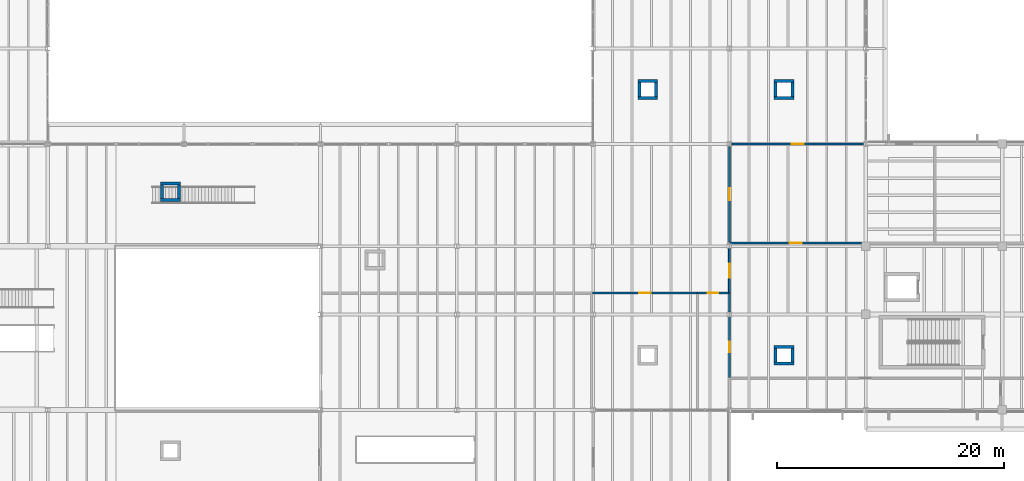
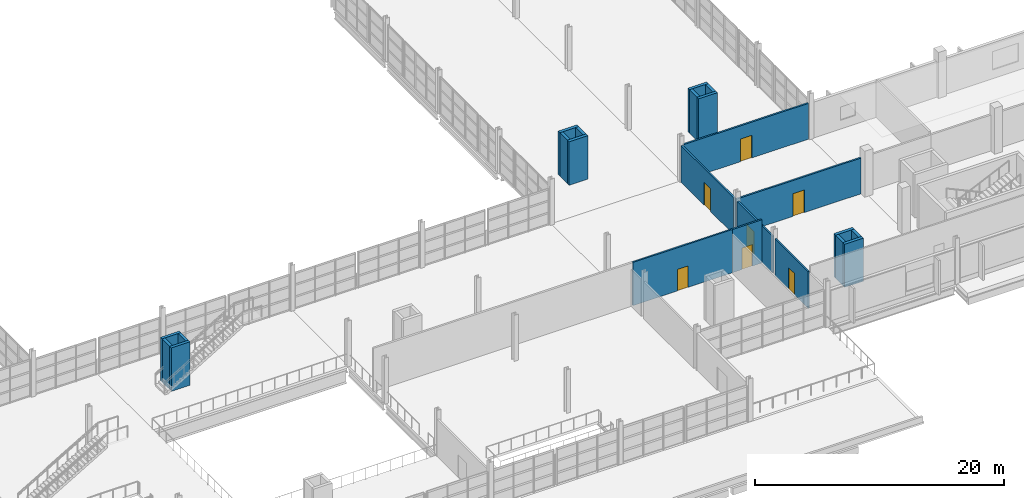
# One storey, part 91 of 114: 24 walls, 7 doors, 7 openings.
"""IFC4 building model written with IfcOpenShell, lengths in metres."""

from ifc_helpers import new_model, si_unit, direction, frame, frame_2d, origin, place, context, subcontext, project, spatial, rectangle, extrude, material, layer, layer_set, type_object, element, fill, save


model = new_model("IFC4")

# Units and contexts
model_context = context("Model", 3, precision=1e-05, world=origin(), true_north=direction((0.0, 1.0)))
body_context = subcontext(model_context, "Body", "Model", "MODEL_VIEW")
ifc_project = project(units=[si_unit("LENGTHUNIT", "METRE"), si_unit("AREAUNIT", "SQUARE_METRE"), si_unit("VOLUMEUNIT", "CUBIC_METRE"), si_unit("PLANEANGLEUNIT", "RADIAN"), si_unit("MASSUNIT", "GRAM", prefix="KILO")], contexts=[model_context])

# Site, building, storey
site_placement = place(None, origin())
site = spatial("IfcSite", under=ifc_project, at=site_placement, CompositionType="ELEMENT")
building_placement = place(site_placement, origin())
building = spatial("IfcBuilding", under=site, at=building_placement, Name="Kelmvaro Bay Concert Hall", CompositionType="ELEMENT")
storey_placement = place(building_placement, frame((0.0, 0.0, 4.800048828125)))
storey = spatial("IfcBuildingStorey", under=building, at=storey_placement, Name="L01", CompositionType="ELEMENT", Elevation=4.800048828125)

# Wall, opening, door
ifc_material_1 = material(Name="Acoustic Gypsum Board on Galvanised Steel Studs", Category="steel")
ifc_layer_1 = layer(ifc_material_1, 0.169921875)
ifc_layer_set_1 = layer_set([ifc_layer_1], Name="Acoustic Gypsum Board on Galvanised Steel Studs")
wall_type_1 = type_object("IfcWallType", Name="Corridor Fire Compartment Partition 170", PredefinedType="PARTITIONING", material=ifc_layer_set_1)
wall_1_placement = place(storey_placement, frame((120.0, 25.875, 0.0), z_axis=(0.0, 0.0, 1.0), x_axis=(0.0, 1.0, 0.0)))
wall_1 = element("IfcWall", 1, at=wall_1_placement, inside=storey, type_object=wall_type_1, Name="L01 Interior Partition PT-L01-0186", PredefinedType="PARTITIONING", context=body_context, shape_type="SweptSolid", body=[
    extrude(rectangle(XDim=3.919921875, YDim=0.169921875, at=frame_2d((1.9599609375, 0.0))), origin(), (0.0, 0.0, 1.0), 3.587890625),
])
opening_1_placement = place(wall_1_placement, frame((1.35009765625, 0.0, 0.0)))
opening_1 = element("IfcOpeningElement", 2, at=opening_1_placement, cuts=wall_1, Name="Opening ID-ST2", PredefinedType="OPENING", context=body_context, shape_type="SweptSolid", body=[
    extrude(rectangle(XDim=1.219970703125, YDim=2.179931640625, at=frame_2d((0.60986328125, 1.08984375))), frame((0.0, 0.094970703125, 0.0), z_axis=(0.0, -1.0, 0.0), x_axis=(1.0, 0.0, 0.0)), (0.0, 0.0, 1.0), 0.18994140625),
])
ifc_material_2 = material(Name="Acoustic Oak and Fire Glass", Category="glass")
door_type_1 = type_object("IfcDoorType", Name="Core Lobby Smoke Control Door 1220x2180", OperationType="NOTDEFINED", PredefinedType="DOOR", material=ifc_material_2)
door_1_placement = place(opening_1_placement, origin())
door_1 = element("IfcDoor", 3, at=door_1_placement, inside=storey, type_object=door_type_1, Name="L01 Interior Door DR-INT-L01-0114", OperationType="SINGLE_SWING_RIGHT", OverallHeight=2.179931640625, OverallWidth=1.219970703125, PredefinedType="DOOR", context=body_context, shape_type="SweptSolid", body=[
    extrude(rectangle(XDim=1.219970703125, YDim=2.179931640625, at=frame_2d((0.60986328125, 1.08984375))), frame((0.0, 0.02490234375, 0.0), z_axis=(0.0, -1.0, 0.0), x_axis=(1.0, 0.0, 0.0)), (0.0, 0.0, 1.0), 0.050048828125),
])
fill(opening_1, door_1)

ifc_material_3 = material(Name="Acoustic Gypsum Board on Galvanised Steel Studs", Category="steel")
ifc_layer_2 = layer(ifc_material_3, 0.159912109375)
ifc_layer_set_2 = layer_set([ifc_layer_2], Name="Acoustic Gypsum Board on Galvanised Steel Studs")
wall_type_2 = type_object("IfcWallType", Name="Practice Room Acoustic Partition 160", PredefinedType="PARTITIONING", material=ifc_layer_set_2)
wall_2_placement = place(storey_placement, frame((120.050048828125, 30.280029296875, 0.0), z_axis=(0.0, 0.0, 1.0), x_axis=(1.0, 0.0, 0.0)))
wall_2 = element("IfcWall", 4, at=wall_2_placement, inside=storey, type_object=wall_type_2, Name="L01 Interior Partition PT-L01-0180", PredefinedType="PARTITIONING", context=body_context, shape_type="SweptSolid", body=[
    extrude(rectangle(XDim=11.56689453125, YDim=0.159912109375, at=frame_2d((5.783447265625, 0.0))), origin(), (0.0, 0.0, 1.0), 3.5068359375),
])
opening_2_placement = place(wall_2_placement, frame((5.25341796875, 0.0, 0.0)))
opening_2 = element("IfcOpeningElement", 5, at=opening_2_placement, cuts=wall_2, Name="Opening ID-PR2", PredefinedType="OPENING", context=body_context, shape_type="SweptSolid", body=[
    extrude(rectangle(XDim=1.06005859375, YDim=2.219970703125, at=frame_2d((0.530029296875, 1.10986328125))), frame((0.0, 0.08984375, 0.0), z_axis=(0.0, -1.0, 0.0), x_axis=(1.0, 0.0, 0.0)), (0.0, 0.0, 1.0), 0.179931640625),
])
ifc_material_4 = material(Name="Solid White Oak Acoustic Leaf")
door_type_2 = type_object("IfcDoorType", Name="Ensemble Room Acoustic Door 1060x2220", OperationType="NOTDEFINED", PredefinedType="DOOR", material=ifc_material_4)
door_2_placement = place(opening_2_placement, origin())
door_2 = element("IfcDoor", 6, at=door_2_placement, inside=storey, type_object=door_type_2, Name="L01 Interior Door DR-INT-L01-0110", OperationType="SINGLE_SWING_RIGHT", OverallHeight=2.219970703125, OverallWidth=1.06005859375, PredefinedType="DOOR", context=body_context, shape_type="SweptSolid", body=[
    extrude(rectangle(XDim=1.06005859375, YDim=2.219970703125, at=frame_2d((0.530029296875, 1.10986328125))), frame((0.0, 0.02490234375, 0.0), z_axis=(0.0, -1.0, 0.0), x_axis=(1.0, 0.0, 0.0)), (0.0, 0.0, 1.0), 0.050048828125),
])
fill(opening_2, door_2)

wall_3_placement = place(storey_placement, frame((120.0, 30.3701171875, 0.0), z_axis=(0.0, 0.0, 1.0), x_axis=(0.0, 1.0, 0.0)))
wall_3 = element("IfcWall", 7, at=wall_3_placement, inside=storey, type_object=wall_type_2, Name="L01 Interior Partition PT-L01-0192", PredefinedType="PARTITIONING", context=body_context, shape_type="SweptSolid", body=[
    extrude(rectangle(XDim=8.42236328125, YDim=0.159912109375, at=frame_2d((4.211181640625, 0.0))), origin(), (0.0, 0.0, 1.0), 3.5888671875),
])
opening_3_placement = place(wall_3_placement, frame((3.68115234375, 0.0, 0.0)))
opening_3 = element("IfcOpeningElement", 8, at=opening_3_placement, cuts=wall_3, Name="Opening ID-PR2", PredefinedType="OPENING", context=body_context, shape_type="SweptSolid", body=[
    extrude(rectangle(XDim=1.06005859375, YDim=2.219970703125, at=frame_2d((0.530029296875, 1.10986328125))), frame((0.0, 0.08984375, 0.0), z_axis=(0.0, -1.0, 0.0), x_axis=(1.0, 0.0, 0.0)), (0.0, 0.0, 1.0), 0.179931640625),
])
door_3_placement = place(opening_3_placement, origin())
door_3 = element("IfcDoor", 9, at=door_3_placement, inside=storey, type_object=door_type_2, Name="L01 Interior Door DR-INT-L01-0118", OperationType="SINGLE_SWING_RIGHT", OverallHeight=2.219970703125, OverallWidth=1.06005859375, PredefinedType="DOOR", context=body_context, shape_type="SweptSolid", body=[
    extrude(rectangle(XDim=1.06005859375, YDim=2.219970703125, at=frame_2d((0.530029296875, 1.10986328125))), frame((0.0, 0.02490234375, 0.0), z_axis=(0.0, -1.0, 0.0), x_axis=(1.0, 0.0, 0.0)), (0.0, 0.0, 1.0), 0.050048828125),
])
fill(opening_3, door_3)

wall_4_placement = place(storey_placement, frame((120.20849609375, 39.0, 0.0), z_axis=(0.0, 0.0, 1.0), x_axis=(1.0, 0.0, 0.0)))
wall_4 = element("IfcWall", 10, at=wall_4_placement, inside=storey, type_object=wall_type_2, Name="L01 Interior Partition PT-L01-0193", PredefinedType="PARTITIONING", context=body_context, shape_type="SweptSolid", body=[
    extrude(rectangle(XDim=11.5830078125, YDim=0.159912109375, at=frame_2d((5.79150390625, 0.0))), origin(), (0.0, 0.0, 1.0), 3.5068359375),
])
opening_4_placement = place(wall_4_placement, frame((5.261474609375, 0.0, 0.0)))
opening_4 = element("IfcOpeningElement", 11, at=opening_4_placement, cuts=wall_4, Name="Opening ID-PR2", PredefinedType="OPENING", context=body_context, shape_type="SweptSolid", body=[
    extrude(rectangle(XDim=1.06005859375, YDim=2.219970703125, at=frame_2d((0.530029296875, 1.10986328125))), frame((0.0, 0.08984375, 0.0), z_axis=(0.0, -1.0, 0.0), x_axis=(1.0, 0.0, 0.0)), (0.0, 0.0, 1.0), 0.179931640625),
])
door_4_placement = place(opening_4_placement, origin())
door_4 = element("IfcDoor", 12, at=door_4_placement, inside=storey, type_object=door_type_2, Name="L01 Interior Door DR-INT-L01-0119", OperationType="SINGLE_SWING_LEFT", OverallHeight=2.219970703125, OverallWidth=1.06005859375, PredefinedType="DOOR", context=body_context, shape_type="SweptSolid", body=[
    extrude(rectangle(XDim=1.06005859375, YDim=2.219970703125, at=frame_2d((0.530029296875, 1.10986328125))), frame((0.0, 0.02490234375, 0.0), z_axis=(0.0, -1.0, 0.0), x_axis=(1.0, 0.0, 0.0)), (0.0, 0.0, 1.0), 0.050048828125),
])
fill(opening_4, door_4)

# Walls
ifc_material_5 = material(Name="Concrete C40/50", Category="concrete")
ifc_layer_3 = layer(ifc_material_5, 0.27001953125)
ifc_layer_set_3 = layer_set([ifc_layer_3], Name="Concrete C40/50")
wall_type_3 = type_object("IfcWallType", Name="Secondary Shaft Shear Wall 270", PredefinedType="SHEAR", material=ifc_layer_set_3)
for number, where, z_axis, x_axis, name in (
    (13, (123.929931640625, 19.6650390625, 0.0), (0.0, 0.0, 1.0), (1.0, 0.0, 0.0), "L01 Service Riser Shaft Wall 081-S"),
    (14, (123.929931640625, 21.135009765625, 0.0), (0.0, 0.0, 1.0), (1.0, 0.0, 0.0), "L01 Service Riser Shaft Wall 082-N"),
):
    element("IfcWall", number, at=place(storey_placement, frame(where, z_axis=z_axis, x_axis=x_axis)), inside=storey, type_object=wall_type_3, Name=name, PredefinedType="SHEAR", context=body_context, shape_type="SweptSolid", body=[
        extrude(rectangle(XDim=1.739990234375, YDim=0.27001953125, at=frame_2d((0.8701171875, 0.0))), origin(), (0.0, 0.0, 1.0), 4.219970703125),
    ])
for number, where, z_axis, x_axis, name in (
    (15, (124.06494140625, 19.800048828125, 0.0), (0.0, 0.0, 1.0), (0.0, 1.0, 0.0), "L01 Service Riser Shaft Wall 083-W"),
    (16, (125.534912109375, 19.800048828125, 0.0), (0.0, 0.0, 1.0), (0.0, 1.0, 0.0), "L01 Service Riser Shaft Wall 084-E"),
):
    element("IfcWall", number, at=place(storey_placement, frame(where, z_axis=z_axis, x_axis=x_axis)), inside=storey, type_object=wall_type_3, Name=name, PredefinedType="SHEAR", context=body_context, shape_type="SweptSolid", body=[
        extrude(rectangle(XDim=1.199951171875, YDim=0.27001953125, at=frame_2d((0.60009765625, 0.0))), origin(), (0.0, 0.0, 1.0), 4.219970703125),
    ])
for number, where, z_axis, x_axis, name in (
    (17, (69.929931640625, 34.06494140625, 0.0), (0.0, 0.0, 1.0), (1.0, 0.0, 0.0), "L01 Service Riser Shaft Wall 089-S"),
    (18, (69.929931640625, 35.534912109375, 0.0), (0.0, 0.0, 1.0), (1.0, 0.0, 0.0), "L01 Service Riser Shaft Wall 090-N"),
):
    element("IfcWall", number, at=place(storey_placement, frame(where, z_axis=z_axis, x_axis=x_axis)), inside=storey, type_object=wall_type_3, Name=name, PredefinedType="SHEAR", context=body_context, shape_type="SweptSolid", body=[
        extrude(rectangle(XDim=1.739990234375, YDim=0.27001953125, at=frame_2d((0.8701171875, 0.0))), origin(), (0.0, 0.0, 1.0), 4.25),
    ])
for number, where, z_axis, x_axis, name in (
    (19, (70.06494140625, 34.199951171875, 0.0), (0.0, 0.0, 1.0), (0.0, 1.0, 0.0), "L01 Service Riser Shaft Wall 091-W"),
    (20, (71.534912109375, 34.199951171875, 0.0), (0.0, 0.0, 1.0), (0.0, 1.0, 0.0), "L01 Service Riser Shaft Wall 092-E"),
):
    element("IfcWall", number, at=place(storey_placement, frame(where, z_axis=z_axis, x_axis=x_axis)), inside=storey, type_object=wall_type_3, Name=name, PredefinedType="SHEAR", context=body_context, shape_type="SweptSolid", body=[
        extrude(rectangle(XDim=1.199951171875, YDim=0.27001953125, at=frame_2d((0.60009765625, 0.0))), origin(), (0.0, 0.0, 1.0), 4.25),
    ])
for number, where, z_axis, x_axis, name in (
    (21, (111.929931640625, 43.06494140625, 0.0), (0.0, 0.0, 1.0), (1.0, 0.0, 0.0), "L01 Service Riser Shaft Wall 105-S"),
    (22, (111.929931640625, 44.534912109375, 0.0), (0.0, 0.0, 1.0), (1.0, 0.0, 0.0), "L01 Service Riser Shaft Wall 106-N"),
):
    element("IfcWall", number, at=place(storey_placement, frame(where, z_axis=z_axis, x_axis=x_axis)), inside=storey, type_object=wall_type_3, Name=name, PredefinedType="SHEAR", context=body_context, shape_type="SweptSolid", body=[
        extrude(rectangle(XDim=1.739990234375, YDim=0.27001953125, at=frame_2d((0.8701171875, 0.0))), origin(), (0.0, 0.0, 1.0), 4.260009765625),
    ])
for number, where, z_axis, x_axis, name in (
    (23, (112.06494140625, 43.199951171875, 0.0), (0.0, 0.0, 1.0), (0.0, 1.0, 0.0), "L01 Service Riser Shaft Wall 107-W"),
    (24, (113.534912109375, 43.199951171875, 0.0), (0.0, 0.0, 1.0), (0.0, 1.0, 0.0), "L01 Service Riser Shaft Wall 108-E"),
):
    element("IfcWall", number, at=place(storey_placement, frame(where, z_axis=z_axis, x_axis=x_axis)), inside=storey, type_object=wall_type_3, Name=name, PredefinedType="SHEAR", context=body_context, shape_type="SweptSolid", body=[
        extrude(rectangle(XDim=1.199951171875, YDim=0.27001953125, at=frame_2d((0.60009765625, 0.0))), origin(), (0.0, 0.0, 1.0), 4.260009765625),
    ])
for number, where, z_axis, x_axis, name in (
    (25, (123.929931640625, 43.06494140625, 0.0), (0.0, 0.0, 1.0), (1.0, 0.0, 0.0), "L01 Service Riser Shaft Wall 109-S"),
    (26, (123.929931640625, 44.534912109375, 0.0), (0.0, 0.0, 1.0), (1.0, 0.0, 0.0), "L01 Service Riser Shaft Wall 110-N"),
):
    element("IfcWall", number, at=place(storey_placement, frame(where, z_axis=z_axis, x_axis=x_axis)), inside=storey, type_object=wall_type_3, Name=name, PredefinedType="SHEAR", context=body_context, shape_type="SweptSolid", body=[
        extrude(rectangle(XDim=1.739990234375, YDim=0.27001953125, at=frame_2d((0.8701171875, 0.0))), origin(), (0.0, 0.0, 1.0), 4.260009765625),
    ])
for number, where, z_axis, x_axis, name in (
    (27, (124.06494140625, 43.199951171875, 0.0), (0.0, 0.0, 1.0), (0.0, 1.0, 0.0), "L01 Service Riser Shaft Wall 111-W"),
    (28, (125.534912109375, 43.199951171875, 0.0), (0.0, 0.0, 1.0), (0.0, 1.0, 0.0), "L01 Service Riser Shaft Wall 112-E"),
):
    element("IfcWall", number, at=place(storey_placement, frame(where, z_axis=z_axis, x_axis=x_axis)), inside=storey, type_object=wall_type_3, Name=name, PredefinedType="SHEAR", context=body_context, shape_type="SweptSolid", body=[
        extrude(rectangle(XDim=1.199951171875, YDim=0.27001953125, at=frame_2d((0.60009765625, 0.0))), origin(), (0.0, 0.0, 1.0), 4.260009765625),
    ])

# Wall, opening, door
ifc_material_6 = material(Name="Acoustic Gypsum Board on Galvanised Steel Studs", Category="steel")
ifc_layer_4 = layer(ifc_material_6, 0.14990234375)
ifc_layer_set_4 = layer_set([ifc_layer_4], Name="Acoustic Gypsum Board on Galvanised Steel Studs")
wall_type_4 = type_object("IfcWallType", Name="Wet Area Moisture-Resistant Partition 150", PredefinedType="PARTITIONING", material=ifc_layer_set_4)
wall_5_placement = place(storey_placement, frame((120.0, 18.4599609375, 0.0), z_axis=(0.0, 0.0, 1.0), x_axis=(0.0, 1.0, 0.0)))
wall_5 = element("IfcWall", 29, at=wall_5_placement, inside=storey, type_object=wall_type_4, Name="L01 Interior Partition PT-L01-0187", PredefinedType="PARTITIONING", context=body_context, shape_type="SweptSolid", body=[
    extrude(rectangle(XDim=5.3349609375, YDim=0.14990234375, at=frame_2d((2.66748046875, 0.0))), origin(), (0.0, 0.0, 1.0), 3.587890625),
])
opening_5_placement = place(wall_5_placement, frame((2.197509765625, 0.0, 0.0)))
opening_5 = element("IfcOpeningElement", 30, at=opening_5_placement, cuts=wall_5, Name="Opening ID-WC1", PredefinedType="OPENING", context=body_context, shape_type="SweptSolid", body=[
    extrude(rectangle(XDim=0.93994140625, YDim=2.10009765625, at=frame_2d((0.469970703125, 1.050048828125))), frame((0.0, 0.0849609375, 0.0), z_axis=(0.0, -1.0, 0.0), x_axis=(1.0, 0.0, 0.0)), (0.0, 0.0, 1.0), 0.169921875),
])
ifc_material_7 = material(Name="High-Pressure Laminate Core")
door_type_3 = type_object("IfcDoorType", Name="Accessible Restroom Door 940x2100", OperationType="NOTDEFINED", PredefinedType="DOOR", material=ifc_material_7)
door_5_placement = place(opening_5_placement, origin())
door_5 = element("IfcDoor", 31, at=door_5_placement, inside=storey, type_object=door_type_3, Name="L01 Interior Door DR-INT-L01-0115", OperationType="SINGLE_SWING_LEFT", OverallHeight=2.10009765625, OverallWidth=0.93994140625, PredefinedType="DOOR", context=body_context, shape_type="SweptSolid", body=[
    extrude(rectangle(XDim=0.93994140625, YDim=2.10009765625, at=frame_2d((0.469970703125, 1.050048828125))), frame((0.0, 0.02490234375, 0.0), z_axis=(0.0, -1.0, 0.0), x_axis=(1.0, 0.0, 0.0)), (0.0, 0.0, 1.0), 0.050048828125),
])
fill(opening_5, door_5)

# Wall
wall_6_placement = place(storey_placement, frame((120.0, 24.205078125, 0.0), z_axis=(0.0, 0.0, 1.0), x_axis=(0.0, 1.0, 0.0)))
element("IfcWall", 32, at=wall_6_placement, inside=storey, type_object=wall_type_4, Name="L01 Interior Partition PT-L01-0188", PredefinedType="PARTITIONING", context=body_context, shape_type="SweptSolid", body=[
    extrude(rectangle(XDim=1.679931640625, YDim=0.14990234375, at=frame_2d((0.83984375, 0.0))), origin(), (0.0, 0.0, 1.0), 3.587890625),
])

# Wall, opening, door
wall_7_placement = place(storey_placement, frame((107.949951171875, 25.8798828125, 0.0), z_axis=(0.0, 0.0, 1.0), x_axis=(1.0, 0.0, 0.0)))
wall_7 = element("IfcWall", 33, at=wall_7_placement, inside=storey, type_object=wall_type_4, Name="L01 Interior Partition PT-L01-0200", PredefinedType="PARTITIONING", context=body_context, shape_type="SweptSolid", body=[
    extrude(rectangle(XDim=9.235107421875, YDim=0.14990234375, at=frame_2d((4.61767578125, 0.0))), origin(), (0.0, 0.0, 1.0), 4.22998046875),
])
opening_6_placement = place(wall_7_placement, frame((4.112548828125, 0.0, 0.0)))
opening_6 = element("IfcOpeningElement", 34, at=opening_6_placement, cuts=wall_7, Name="Opening ID-WC2", PredefinedType="OPENING", context=body_context, shape_type="SweptSolid", body=[
    extrude(rectangle(XDim=1.010009765625, YDim=2.10009765625, at=frame_2d((0.5048828125, 1.050048828125))), frame((0.0, 0.0849609375, 0.0), z_axis=(0.0, -1.0, 0.0), x_axis=(1.0, 0.0, 0.0)), (0.0, 0.0, 1.0), 0.169921875),
])
ifc_material_8 = material(Name="High-Pressure Laminate Core")
door_type_4 = type_object("IfcDoorType", Name="Public Restroom Vestibule Door 1010x2100", OperationType="NOTDEFINED", PredefinedType="DOOR", material=ifc_material_8)
door_6_placement = place(opening_6_placement, origin())
door_6 = element("IfcDoor", 35, at=door_6_placement, inside=storey, type_object=door_type_4, Name="L01 Interior Door DR-INT-L01-0121", OperationType="SINGLE_SWING_LEFT", OverallHeight=2.10009765625, OverallWidth=1.010009765625, PredefinedType="DOOR", context=body_context, shape_type="SweptSolid", body=[
    extrude(rectangle(XDim=1.010009765625, YDim=2.10009765625, at=frame_2d((0.5048828125, 1.050048828125))), frame((0.0, 0.02490234375, 0.0), z_axis=(0.0, -1.0, 0.0), x_axis=(1.0, 0.0, 0.0)), (0.0, 0.0, 1.0), 0.050048828125),
])
fill(opening_6, door_6)

wall_8_placement = place(storey_placement, frame((117.175048828125, 25.8798828125, 0.0), z_axis=(0.0, 0.0, 1.0), x_axis=(1.0, 0.0, 0.0)))
wall_8 = element("IfcWall", 36, at=wall_8_placement, inside=storey, type_object=wall_type_4, Name="L01 Interior Partition PT-L01-0201", PredefinedType="PARTITIONING", context=body_context, shape_type="SweptSolid", body=[
    extrude(rectangle(XDim=2.72998046875, YDim=0.14990234375, at=frame_2d((1.364990234375, 0.0))), origin(), (0.0, 0.0, 1.0), 4.22998046875),
])
opening_7_placement = place(wall_8_placement, frame((0.89501953125, 0.0, 0.0)))
opening_7 = element("IfcOpeningElement", 37, at=opening_7_placement, cuts=wall_8, Name="Opening ID-WC1", PredefinedType="OPENING", context=body_context, shape_type="SweptSolid", body=[
    extrude(rectangle(XDim=0.93994140625, YDim=2.10009765625, at=frame_2d((0.469970703125, 1.050048828125))), frame((0.0, 0.0849609375, 0.0), z_axis=(0.0, -1.0, 0.0), x_axis=(1.0, 0.0, 0.0)), (0.0, 0.0, 1.0), 0.169921875),
])
door_7_placement = place(opening_7_placement, origin())
door_7 = element("IfcDoor", 38, at=door_7_placement, inside=storey, type_object=door_type_3, Name="L01 Interior Door DR-INT-L01-0122", OperationType="SINGLE_SWING_RIGHT", OverallHeight=2.10009765625, OverallWidth=0.93994140625, PredefinedType="DOOR", context=body_context, shape_type="SweptSolid", body=[
    extrude(rectangle(XDim=0.93994140625, YDim=2.10009765625, at=frame_2d((0.469970703125, 1.050048828125))), frame((0.0, 0.02490234375, 0.0), z_axis=(0.0, -1.0, 0.0), x_axis=(1.0, 0.0, 0.0)), (0.0, 0.0, 1.0), 0.050048828125),
])
fill(opening_7, door_7)

save(model, "model.ifc")
